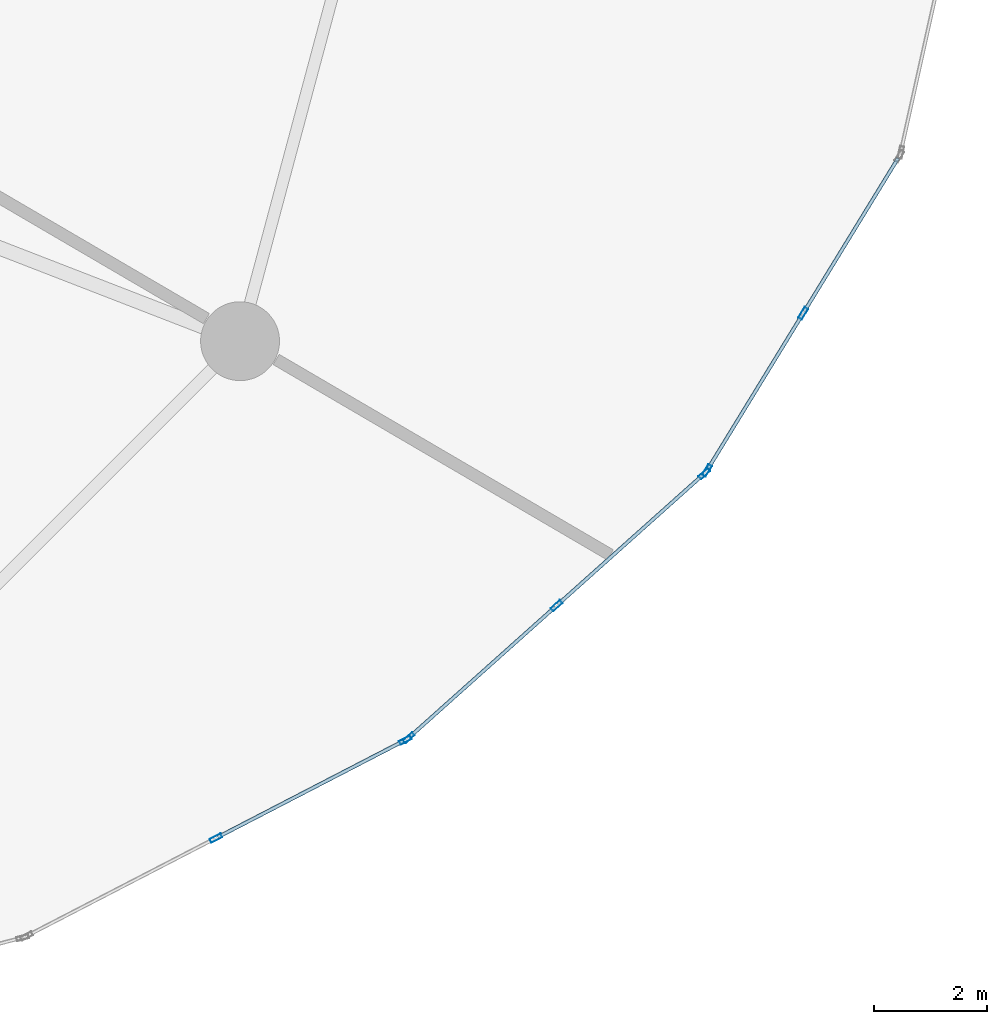
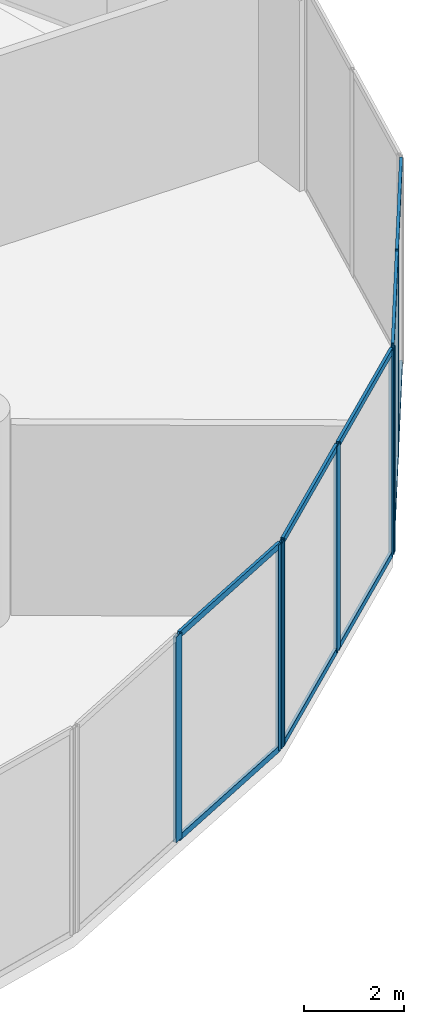
# One storey, part 12 of 31: 17 members, 3 elements without a shape of their own.
"""IFC4 building model written with IfcOpenShell, lengths in metres."""

from ifc_helpers import new_model, si_unit, direction, frame, origin, origin_2d, place, context, subcontext, project, spatial, hollow_rectangle, extrude, source, transform, mapped, material, layer, layer_set, material_profile, profile_set, type_object, element, aggregate, save


model = new_model("IFC4")

# Units and contexts
model_context = context("Model", 3, precision=1e-05, world=origin(), true_north=direction((0.0, 1.0)))
body_context = subcontext(model_context, "Body", "Model", "MODEL_VIEW")
ifc_project = project(units=[si_unit("LENGTHUNIT", "METRE"), si_unit("AREAUNIT", "SQUARE_METRE"), si_unit("VOLUMEUNIT", "CUBIC_METRE"), si_unit("PLANEANGLEUNIT", "RADIAN"), si_unit("MASSUNIT", "GRAM", prefix="KILO")], contexts=[model_context])

# Site, building, storey
site_placement = place(None, origin())
site = spatial("IfcSite", under=ifc_project, at=site_placement, CompositionType="ELEMENT")
building_placement = place(site_placement, origin())
building = spatial("IfcBuilding", under=site, at=building_placement, Name="Solvirekh Grand Hotel", CompositionType="ELEMENT")
storey_placement = place(building_placement, frame((0.0, 0.0, 18.60009765625)))
storey = spatial("IfcBuildingStorey", under=building, at=storey_placement, Name="L03", CompositionType="ELEMENT", Elevation=18.60009765625)

# Curtain wall, members
ifc_material = material(Name="Anodized Bronze Aluminium 6063-T6", Category="aluminium")
ifc_layer = layer(ifc_material, 0.219970703125)
ifc_layer_set = layer_set([ifc_layer], Name="Anodized Bronze Aluminium 6063-T6")
curtain_wall_type = type_object("IfcCurtainWallType", Name="CW_Sys1_PodiumBronzeUnitised", PredefinedType="NOTDEFINED", material=ifc_layer_set)
curtain_wall_1_placement = place(storey_placement, origin())
curtain_wall_1 = element("IfcCurtainWall", 1, at=curtain_wall_1_placement, inside=storey, type_object=curtain_wall_type, Name="L03 unitised bronze-glass curtain wall CW-L03-C23", PredefinedType="NOTDEFINED")
ifc_material_profile_1 = material_profile(ifc_material, hollow_rectangle(XDim=0.06494140625, YDim=0.14990234375, WallThickness=0.0048828125, at=origin_2d()), Name="ALU RHS 150X65X5")
ifc_profile_set_1 = profile_set([ifc_material_profile_1], Name="Anodized Bronze Aluminium 6063-T6")
member_type_1 = type_object("IfcMemberType", Name="CWTransom_Sys1", PredefinedType="USERDEFINED", material=ifc_profile_set_1)
shared_shape_1 = source(origin(), body_context, "Body", "SweptSolid", [
    extrude(hollow_rectangle(XDim=0.06494140625, YDim=0.14990234375, WallThickness=0.0048828125, at=origin_2d()), origin(), (0.0, 0.0, 1.0), 3.19384765625),
])
member_1_placement = place(storey_placement, frame((27.188232421875, -13.162109375, 0.032470703125), z_axis=(0.522018824244, 0.852933964111, 0.0), x_axis=(-0.852933964111, 0.522018824244, 0.0)))
member_1 = element("IfcMember", 2, at=member_1_placement, type_object=member_type_1, Name="U01 transom 1.1", ObjectType="TRANSOM", PredefinedType="USERDEFINED", context=body_context, shape_type="MappedRepresentation", body=[
    mapped(shared_shape_1, transform((0.0, 0.0, 0.0), x_axis=(1.0, 0.0, 0.0), y_axis=(0.0, 1.0, 0.0), z_axis=(0.0, 0.0, 1.0), scale=1.0)),
])
member_2_placement = place(storey_placement, frame((27.188232421875, -13.162109375, 4.96728515625), z_axis=(0.522018824244, 0.852933964111, 0.0), x_axis=(-0.852933964111, 0.522018824244, 0.0)))
member_2 = element("IfcMember", 3, at=member_2_placement, type_object=member_type_1, Name="U01 transom 1.2", ObjectType="TRANSOM", PredefinedType="USERDEFINED", context=body_context, shape_type="MappedRepresentation", body=[
    mapped(shared_shape_1, transform((0.0, 0.0, 0.0), x_axis=(1.0, 0.0, 0.0), y_axis=(0.0, 1.0, 0.0), z_axis=(0.0, 0.0, 1.0), scale=1.0)),
])
member_3_placement = place(storey_placement, frame((28.89453125, -10.3740234375, 0.032470703125), z_axis=(0.522018824244, 0.852933964111, 0.0), x_axis=(-0.852933964111, 0.522018824244, 0.0)))
member_3 = element("IfcMember", 4, at=member_3_placement, type_object=member_type_1, Name="U01 transom 2.1", ObjectType="TRANSOM", PredefinedType="USERDEFINED", context=body_context, shape_type="MappedRepresentation", body=[
    mapped(shared_shape_1, transform((0.0, 0.0, 0.0), x_axis=(1.0, 0.0, 0.0), y_axis=(0.0, 1.0, 0.0), z_axis=(0.0, 0.0, 1.0), scale=1.0)),
])
member_4_placement = place(storey_placement, frame((28.89453125, -10.3740234375, 4.96728515625), z_axis=(0.522018824244, 0.852933964111, 0.0), x_axis=(-0.852933964111, 0.522018824244, 0.0)))
member_4 = element("IfcMember", 5, at=member_4_placement, type_object=member_type_1, Name="U01 transom 2.2", ObjectType="TRANSOM", PredefinedType="USERDEFINED", context=body_context, shape_type="MappedRepresentation", body=[
    mapped(shared_shape_1, transform((0.0, 0.0, 0.0), x_axis=(1.0, 0.0, 0.0), y_axis=(0.0, 1.0, 0.0), z_axis=(0.0, 0.0, 1.0), scale=1.0)),
])

curtain_wall_2_placement = place(storey_placement, origin())
curtain_wall_2 = element("IfcCurtainWall", 6, at=curtain_wall_2_placement, inside=storey, type_object=curtain_wall_type, Name="L03 unitised bronze-glass curtain wall CW-L03-C21", PredefinedType="NOTDEFINED")
shared_shape_2 = source(origin(), body_context, "Body", "SweptSolid", [
    extrude(hollow_rectangle(XDim=0.06494140625, YDim=0.14990234375, WallThickness=0.0048828125, at=origin_2d()), origin(), (0.0, 0.0, 1.0), 3.710693359375),
])
member_5_placement = place(storey_placement, frame((18.48486328125, -19.704345703125, 0.032470703125), z_axis=(0.888075954334, 0.459696747143, 0.0), x_axis=(-0.459696747143, 0.888075954334, 0.0)))
member_5 = element("IfcMember", 7, at=member_5_placement, type_object=member_type_1, Name="U01 transom 2.1", ObjectType="TRANSOM", PredefinedType="USERDEFINED", context=body_context, shape_type="MappedRepresentation", body=[
    mapped(shared_shape_2, transform((0.0, 0.0, 0.0), x_axis=(1.0, 0.0, 0.0), y_axis=(0.0, 1.0, 0.0), z_axis=(0.0, 0.0, 1.0), scale=1.0)),
])
member_6_placement = place(storey_placement, frame((18.48486328125, -19.704345703125, 4.96728515625), z_axis=(0.888075954334, 0.459696747143, 0.0), x_axis=(-0.459696747143, 0.888075954334, 0.0)))
member_6 = element("IfcMember", 8, at=member_6_placement, type_object=member_type_1, Name="U01 transom 2.2", ObjectType="TRANSOM", PredefinedType="USERDEFINED", context=body_context, shape_type="MappedRepresentation", body=[
    mapped(shared_shape_2, transform((0.0, 0.0, 0.0), x_axis=(1.0, 0.0, 0.0), y_axis=(0.0, 1.0, 0.0), z_axis=(0.0, 0.0, 1.0), scale=1.0)),
])
ifc_material_profile_2 = material_profile(ifc_material, hollow_rectangle(XDim=0.074951171875, YDim=0.219970703125, WallThickness=0.006103515625, at=origin_2d()), Name="ALU RHS 220X75X6")
ifc_profile_set_2 = profile_set([ifc_material_profile_2], Name="Anodized Bronze Aluminium 6063-T6")
member_type_2 = type_object("IfcMemberType", Name="CWMullion_Sys1", PredefinedType="MULLION", material=ifc_profile_set_2)
shared_shape_3 = source(origin(), body_context, "Body", "SweptSolid", [
    extrude(hollow_rectangle(XDim=0.074951171875, YDim=0.219970703125, WallThickness=0.006103515625, at=origin_2d()), origin(), (0.0, 0.0, 1.0), 5.0),
])
member_7_placement = place(storey_placement, frame((18.451416015625, -19.721435546875, 0.0), z_axis=(0.0, 0.0, 1.0), x_axis=(-0.459671936443, 0.888088796713, 0.0)))
member_7 = element("IfcMember", 9, at=member_7_placement, type_object=member_type_2, Name="U01 mullion 2", PredefinedType="MULLION", context=body_context, shape_type="MappedRepresentation", body=[
    mapped(shared_shape_3, transform((0.0, 0.0, 0.0), x_axis=(1.0, 0.0, 0.0), y_axis=(0.0, 1.0, 0.0), z_axis=(0.0, 0.0, 1.0), scale=1.0)),
])
member_8_placement = place(storey_placement, frame((21.813720703125, -17.981201171875, 0.0), z_axis=(0.0, 0.0, 1.0), x_axis=(-0.459671936443, 0.888088796713, 0.0)))
member_8 = element("IfcMember", 10, at=member_8_placement, type_object=member_type_2, Name="U01 mullion 3", PredefinedType="MULLION", context=body_context, shape_type="MappedRepresentation", body=[
    mapped(shared_shape_3, transform((0.0, 0.0, 0.0), x_axis=(1.0, 0.0, 0.0), y_axis=(0.0, 1.0, 0.0), z_axis=(0.0, 0.0, 1.0), scale=1.0)),
])
aggregate(curtain_wall_2, [member_7, member_8, member_5, member_6])

curtain_wall_3_placement = place(storey_placement, origin())
curtain_wall_3 = element("IfcCurtainWall", 11, at=curtain_wall_3_placement, inside=storey, type_object=curtain_wall_type, Name="L03 unitised bronze-glass curtain wall CW-L03-C22", PredefinedType="NOTDEFINED")
member_9_placement = place(storey_placement, frame((21.875, -17.93896484375, 0.0), z_axis=(0.0, 0.0, 1.0), x_axis=(-0.66633431094, 0.745653127174, 0.0)))
member_9 = element("IfcMember", 12, at=member_9_placement, type_object=member_type_2, Name="U01 mullion 1", PredefinedType="MULLION", context=body_context, shape_type="MappedRepresentation", body=[
    mapped(shared_shape_3, transform((0.0, 0.0, 0.0), x_axis=(1.0, 0.0, 0.0), y_axis=(0.0, 1.0, 0.0), z_axis=(0.0, 0.0, 1.0), scale=1.0)),
])
member_10_placement = place(storey_placement, frame((24.498046875, -15.594970703125, 0.0), z_axis=(0.0, 0.0, 1.0), x_axis=(-0.66633431094, 0.745653127174, 0.0)))
member_10 = element("IfcMember", 13, at=member_10_placement, type_object=member_type_2, Name="U01 mullion 2", PredefinedType="MULLION", context=body_context, shape_type="MappedRepresentation", body=[
    mapped(shared_shape_3, transform((0.0, 0.0, 0.0), x_axis=(1.0, 0.0, 0.0), y_axis=(0.0, 1.0, 0.0), z_axis=(0.0, 0.0, 1.0), scale=1.0)),
])
member_11_placement = place(storey_placement, frame((27.12109375, -13.2509765625, 0.0), z_axis=(0.0, 0.0, 1.0), x_axis=(-0.66633431094, 0.745653127174, 0.0)))
member_11 = element("IfcMember", 14, at=member_11_placement, type_object=member_type_2, Name="U01 mullion 3", PredefinedType="MULLION", context=body_context, shape_type="MappedRepresentation", body=[
    mapped(shared_shape_3, transform((0.0, 0.0, 0.0), x_axis=(1.0, 0.0, 0.0), y_axis=(0.0, 1.0, 0.0), z_axis=(0.0, 0.0, 1.0), scale=1.0)),
])

# Member
member_12_placement = place(storey_placement, frame((27.16845703125, -13.194091796875, 0.0), z_axis=(0.0, 0.0, 1.0), x_axis=(-0.852922763762, 0.522037124212, 0.0)))
member_12 = element("IfcMember", 15, at=member_12_placement, type_object=member_type_2, Name="U01 mullion 1", PredefinedType="MULLION", context=body_context, shape_type="MappedRepresentation", body=[
    mapped(shared_shape_3, transform((0.0, 0.0, 0.0), x_axis=(1.0, 0.0, 0.0), y_axis=(0.0, 1.0, 0.0), z_axis=(0.0, 0.0, 1.0), scale=1.0)),
])

member_13_placement = place(storey_placement, frame((28.875, -10.406005859375, 0.0), z_axis=(0.0, 0.0, 1.0), x_axis=(-0.852922763762, 0.522037124212, 0.0)))
member_13 = element("IfcMember", 16, at=member_13_placement, type_object=member_type_2, Name="U01 mullion 2", PredefinedType="MULLION", context=body_context, shape_type="MappedRepresentation", body=[
    mapped(shared_shape_3, transform((0.0, 0.0, 0.0), x_axis=(1.0, 0.0, 0.0), y_axis=(0.0, 1.0, 0.0), z_axis=(0.0, 0.0, 1.0), scale=1.0)),
])

aggregate(curtain_wall_1, [member_12, member_13, member_1, member_2, member_3, member_4])

shared_shape_4 = source(origin(), body_context, "Body", "SweptSolid", [
    extrude(hollow_rectangle(XDim=0.06494140625, YDim=0.14990234375, WallThickness=0.0048828125, at=origin_2d()), origin(), (0.0, 0.0, 1.0), 3.44287109375),
])
member_14_placement = place(storey_placement, frame((21.90283203125, -17.9140625, 0.032470703125), z_axis=(0.74563436093, 0.666355310477, 0.0), x_axis=(-0.666355310477, 0.74563436093, 0.0)))
member_14 = element("IfcMember", 17, at=member_14_placement, type_object=member_type_1, Name="U01 transom 1.1", ObjectType="TRANSOM", PredefinedType="USERDEFINED", context=body_context, shape_type="MappedRepresentation", body=[
    mapped(shared_shape_4, transform((0.0, 0.0, 0.0), x_axis=(1.0, 0.0, 0.0), y_axis=(0.0, 1.0, 0.0), z_axis=(0.0, 0.0, 1.0), scale=1.0)),
])

member_15_placement = place(storey_placement, frame((21.90283203125, -17.9140625, 4.96728515625), z_axis=(0.74563436093, 0.666355310477, 0.0), x_axis=(-0.666355310477, 0.74563436093, 0.0)))
member_15 = element("IfcMember", 18, at=member_15_placement, type_object=member_type_1, Name="U01 transom 1.2", ObjectType="TRANSOM", PredefinedType="USERDEFINED", context=body_context, shape_type="MappedRepresentation", body=[
    mapped(shared_shape_4, transform((0.0, 0.0, 0.0), x_axis=(1.0, 0.0, 0.0), y_axis=(0.0, 1.0, 0.0), z_axis=(0.0, 0.0, 1.0), scale=1.0)),
])

member_16_placement = place(storey_placement, frame((24.52587890625, -15.570068359375, 0.032470703125), z_axis=(0.74563436093, 0.666355310477, 0.0), x_axis=(-0.666355310477, 0.74563436093, 0.0)))
member_16 = element("IfcMember", 19, at=member_16_placement, type_object=member_type_1, Name="U01 transom 2.1", ObjectType="TRANSOM", PredefinedType="USERDEFINED", context=body_context, shape_type="MappedRepresentation", body=[
    mapped(shared_shape_4, transform((0.0, 0.0, 0.0), x_axis=(1.0, 0.0, 0.0), y_axis=(0.0, 1.0, 0.0), z_axis=(0.0, 0.0, 1.0), scale=1.0)),
])

member_17_placement = place(storey_placement, frame((24.52587890625, -15.570068359375, 4.96728515625), z_axis=(0.74563436093, 0.666355310477, 0.0), x_axis=(-0.666355310477, 0.74563436093, 0.0)))
member_17 = element("IfcMember", 20, at=member_17_placement, type_object=member_type_1, Name="U01 transom 2.2", ObjectType="TRANSOM", PredefinedType="USERDEFINED", context=body_context, shape_type="MappedRepresentation", body=[
    mapped(shared_shape_4, transform((0.0, 0.0, 0.0), x_axis=(1.0, 0.0, 0.0), y_axis=(0.0, 1.0, 0.0), z_axis=(0.0, 0.0, 1.0), scale=1.0)),
])

aggregate(curtain_wall_3, [member_9, member_10, member_11, member_14, member_15, member_16, member_17])

save(model, "model.ifc")
